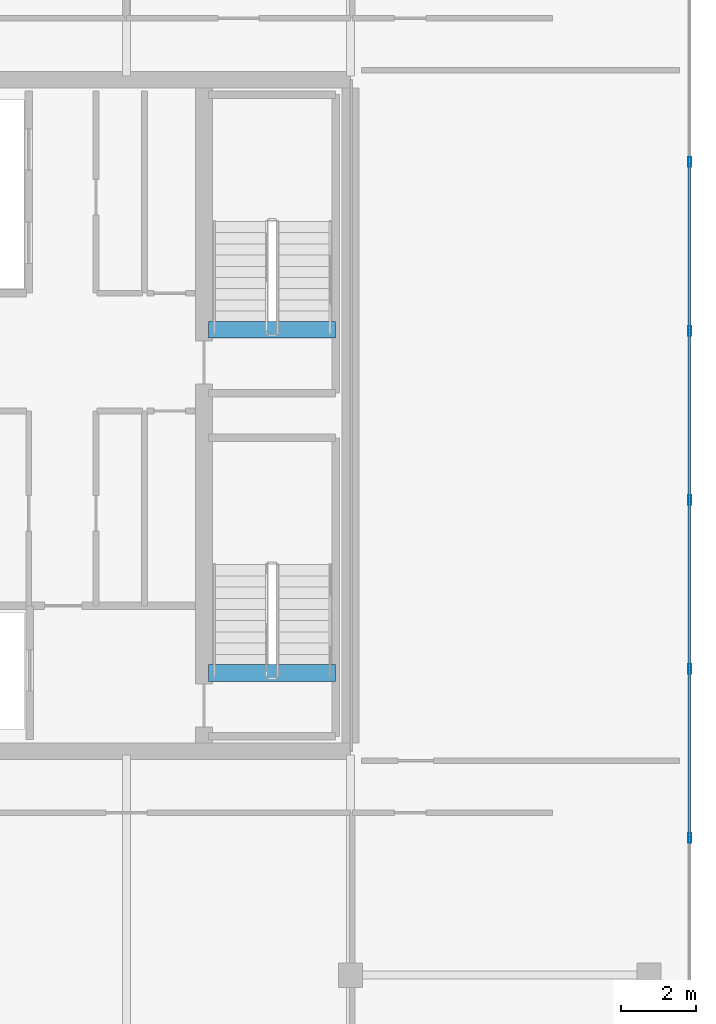
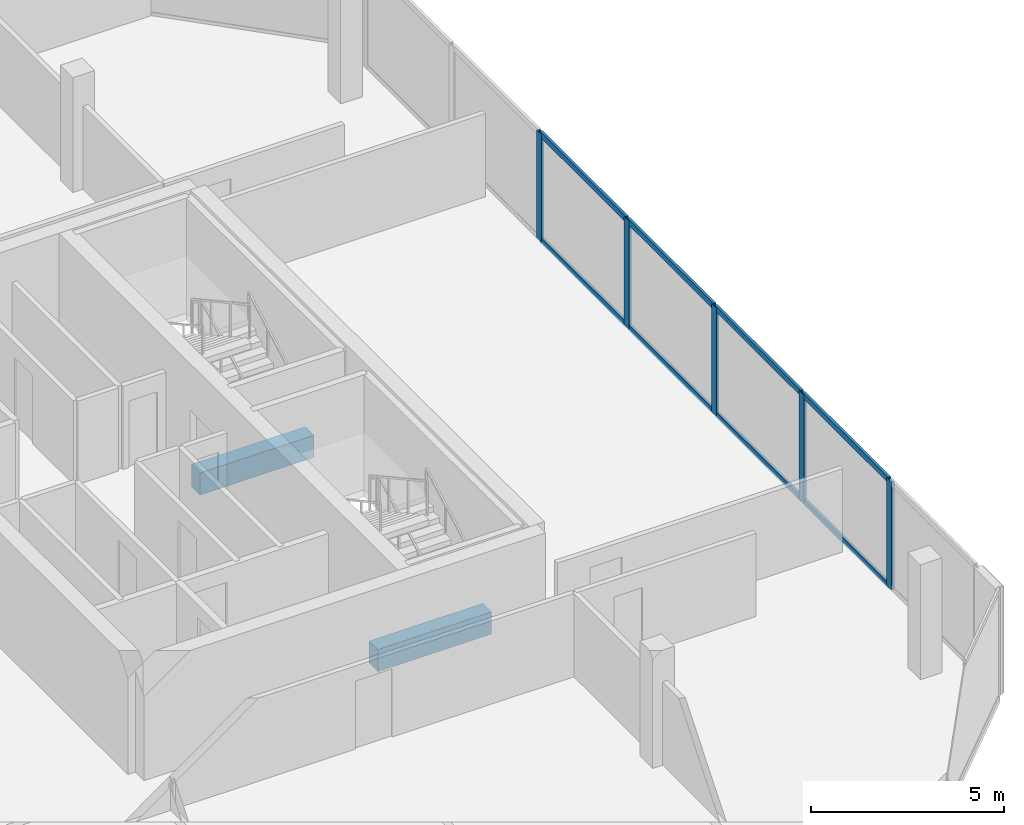
# One storey, part 18 of 28: 13 members, 2 beams, 1 element without a shape of its own.
"""IFC4 building model written with IfcOpenShell, lengths in metres."""

from ifc_helpers import new_model, si_unit, direction, frame, origin, origin_2d, place, context, subcontext, project, spatial, rectangle, hollow_rectangle, extrude, material, layer, layer_set, material_profile, profile_set, type_object, element, aggregate, save


model = new_model("IFC4")

# Units and contexts
model_context = context("Model", 3, precision=1e-05, world=origin(), true_north=direction((0.0, 1.0)))
body_context = subcontext(model_context, "Body", "Model", "MODEL_VIEW")
ifc_project = project(units=[si_unit("LENGTHUNIT", "METRE"), si_unit("AREAUNIT", "SQUARE_METRE"), si_unit("VOLUMEUNIT", "CUBIC_METRE"), si_unit("PLANEANGLEUNIT", "RADIAN"), si_unit("MASSUNIT", "GRAM", prefix="KILO")], contexts=[model_context])

# Site, building, storey
site_placement = place(None, origin())
site = spatial("IfcSite", under=ifc_project, at=site_placement, CompositionType="ELEMENT")
building_placement = place(site_placement, origin())
building = spatial("IfcBuilding", under=site, at=building_placement, Name="Tanjung Sevakor Pilgrim Tower", CompositionType="ELEMENT")
storey_placement = place(building_placement, frame((0.0, 0.0, 257.070068359375)))
storey = spatial("IfcBuildingStorey", under=building, at=storey_placement, Name="L72", CompositionType="ELEMENT", Elevation=257.070068359375)

# Beams
ifc_material_1 = material(Name="Concrete C60/75", Category="concrete")
ifc_material_profile_1 = material_profile(ifc_material_1, rectangle(XDim=0.449951171875, YDim=0.699951171875, at=origin_2d()))
ifc_profile_set_1 = profile_set([ifc_material_profile_1], Name="Concrete C60/75")
beam_type = type_object("IfcBeamType", Name="BM-B-LN3-RC-BM_450x700", PredefinedType="LINTEL", material=ifc_profile_set_1)
for number, where, z_axis, x_axis, name in (
    (1, (86.199951171875, 26.699951171875, -0.35009765625), (1.0, 0.0, 0.0), (0.0, 1.0, 0.0), "L72 TS-E1 Stair Threshold Beam"),
    (2, (86.199951171875, 35.89990234375, -0.35009765625), (1.0, 0.0, 0.0), (0.0, 1.0, 0.0), "L72 TS-E2 Stair Threshold Beam"),
):
    element("IfcBeam", number, at=place(storey_placement, frame(where, z_axis=z_axis, x_axis=x_axis)), inside=storey, type_object=beam_type, Name=name, PredefinedType="LINTEL", context=body_context, shape_type="SweptSolid", body=[
        extrude(rectangle(XDim=0.449951171875, YDim=0.699951171875, at=origin_2d()), origin(), (0.0, 0.0, 1.0), 3.400146484375),
    ])

# Curtain wall, members
ifc_material_2 = material(Name="Aluminium 6063-T6 and Low-E Glass", Category="aluminium")
ifc_layer = layer(ifc_material_2, 0.219970703125)
ifc_layer_set = layer_set([ifc_layer], Name="CW-SYS-CRNE")
curtain_wall_type = type_object("IfcCurtainWallType", Name="CW-SYS-CRNE", PredefinedType="NOTDEFINED", material=ifc_layer_set)
curtain_wall_placement = place(storey_placement, origin())
curtain_wall = element("IfcCurtainWall", 3, at=curtain_wall_placement, inside=storey, type_object=curtain_wall_type, Name="L72 Curtain Wall CW-CRN-L72-EAST-2-1", PredefinedType="NOTDEFINED")
ifc_material_3 = material(Name="Aluminium 6063-T6", Category="aluminium")
ifc_material_profile_2 = material_profile(ifc_material_3, hollow_rectangle(XDim=0.080078125, YDim=0.260009765625, WallThickness=0.0048828125, at=origin_2d()))
ifc_profile_set_2 = profile_set([ifc_material_profile_2], Name="Aluminium 6063-T6")
member_type_1 = type_object("IfcMemberType", Name="TYPE-CWM-3", PredefinedType="MULLION", material=ifc_profile_set_2)
member_1_placement = place(storey_placement, frame((99.090087890625, 22.275390625, 0.0), z_axis=(0.0, 0.0, 1.0), x_axis=(-1.0, 0.0, 0.0)))
member_1 = element("IfcMember", 4, at=member_1_placement, type_object=member_type_1, Name="CW-CRE mullion 2", PredefinedType="MULLION", context=body_context, shape_type="SweptSolid", body=[
    extrude(hollow_rectangle(XDim=0.080078125, YDim=0.260009765625, WallThickness=0.0048828125, at=origin_2d()), origin(), (0.0, 0.0, 1.0), 3.409912109375),
])
member_2_placement = place(storey_placement, frame((99.090087890625, 26.80517578125, 0.0), z_axis=(0.0, 0.0, 1.0), x_axis=(-1.0, 0.0, 0.0)))
member_2 = element("IfcMember", 5, at=member_2_placement, type_object=member_type_1, Name="CW-CRE mullion 3", PredefinedType="MULLION", context=body_context, shape_type="SweptSolid", body=[
    extrude(hollow_rectangle(XDim=0.080078125, YDim=0.260009765625, WallThickness=0.0048828125, at=origin_2d()), origin(), (0.0, 0.0, 1.0), 3.409912109375),
])
member_3_placement = place(storey_placement, frame((99.090087890625, 31.335205078125, 0.0), z_axis=(0.0, 0.0, 1.0), x_axis=(-1.0, 0.0, 0.0)))
member_3 = element("IfcMember", 6, at=member_3_placement, type_object=member_type_1, Name="CW-CRE mullion 4", PredefinedType="MULLION", context=body_context, shape_type="SweptSolid", body=[
    extrude(hollow_rectangle(XDim=0.080078125, YDim=0.260009765625, WallThickness=0.0048828125, at=origin_2d()), origin(), (0.0, 0.0, 1.0), 3.409912109375),
])
member_4_placement = place(storey_placement, frame((99.090087890625, 35.864990234375, 0.0), z_axis=(0.0, 0.0, 1.0), x_axis=(-1.0, 0.0, 0.0)))
member_4 = element("IfcMember", 7, at=member_4_placement, type_object=member_type_1, Name="CW-CRE mullion 5", PredefinedType="MULLION", context=body_context, shape_type="SweptSolid", body=[
    extrude(hollow_rectangle(XDim=0.080078125, YDim=0.260009765625, WallThickness=0.0048828125, at=origin_2d()), origin(), (0.0, 0.0, 1.0), 3.409912109375),
])
member_5_placement = place(storey_placement, frame((99.090087890625, 40.394775390625, 0.0), z_axis=(0.0, 0.0, 1.0), x_axis=(-1.0, 0.0, 0.0)))
member_5 = element("IfcMember", 8, at=member_5_placement, type_object=member_type_1, Name="CW-CRE mullion 6", PredefinedType="MULLION", context=body_context, shape_type="SweptSolid", body=[
    extrude(hollow_rectangle(XDim=0.080078125, YDim=0.260009765625, WallThickness=0.0048828125, at=origin_2d()), origin(), (0.0, 0.0, 1.0), 3.409912109375),
])
ifc_material_4 = material(Name="Aluminium 6063-T6", Category="aluminium")
ifc_material_profile_3 = material_profile(ifc_material_4, hollow_rectangle(XDim=0.080078125, YDim=0.179931640625, WallThickness=0.0048828125, at=origin_2d()))
ifc_profile_set_3 = profile_set([ifc_material_profile_3], Name="Aluminium 6063-T6")
member_type_2 = type_object("IfcMemberType", Name="TYPE-CWT-3", PredefinedType="USERDEFINED", material=ifc_profile_set_3)
member_6_placement = place(storey_placement, frame((99.090087890625, 22.3154296875, 0.0400390625), z_axis=(0.0, 1.0, 0.0), x_axis=(-1.0, 0.0, 0.0)))
member_6 = element("IfcMember", 9, at=member_6_placement, type_object=member_type_2, Name="CW-CRE transom 2.1", ObjectType="TRANSOM", PredefinedType="USERDEFINED", context=body_context, shape_type="SweptSolid", body=[
    extrude(hollow_rectangle(XDim=0.080078125, YDim=0.179931640625, WallThickness=0.0048828125, at=origin_2d()), origin(), (0.0, 0.0, 1.0), 4.44970703125),
])
member_7_placement = place(storey_placement, frame((99.090087890625, 22.3154296875, 3.369873046875), z_axis=(0.0, 1.0, 0.0), x_axis=(-1.0, 0.0, 0.0)))
member_7 = element("IfcMember", 10, at=member_7_placement, type_object=member_type_2, Name="CW-CRE transom 2.2", ObjectType="TRANSOM", PredefinedType="USERDEFINED", context=body_context, shape_type="SweptSolid", body=[
    extrude(hollow_rectangle(XDim=0.080078125, YDim=0.179931640625, WallThickness=0.0048828125, at=origin_2d()), origin(), (0.0, 0.0, 1.0), 4.44970703125),
])
member_8_placement = place(storey_placement, frame((99.090087890625, 26.84521484375, 0.0400390625), z_axis=(0.0, 1.0, 0.0), x_axis=(-1.0, 0.0, 0.0)))
member_8 = element("IfcMember", 11, at=member_8_placement, type_object=member_type_2, Name="CW-CRE transom 3.1", ObjectType="TRANSOM", PredefinedType="USERDEFINED", context=body_context, shape_type="SweptSolid", body=[
    extrude(hollow_rectangle(XDim=0.080078125, YDim=0.179931640625, WallThickness=0.0048828125, at=origin_2d()), origin(), (0.0, 0.0, 1.0), 4.449951171875),
])
member_9_placement = place(storey_placement, frame((99.090087890625, 26.84521484375, 3.369873046875), z_axis=(0.0, 1.0, 0.0), x_axis=(-1.0, 0.0, 0.0)))
member_9 = element("IfcMember", 12, at=member_9_placement, type_object=member_type_2, Name="CW-CRE transom 3.2", ObjectType="TRANSOM", PredefinedType="USERDEFINED", context=body_context, shape_type="SweptSolid", body=[
    extrude(hollow_rectangle(XDim=0.080078125, YDim=0.179931640625, WallThickness=0.0048828125, at=origin_2d()), origin(), (0.0, 0.0, 1.0), 4.449951171875),
])
member_10_placement = place(storey_placement, frame((99.090087890625, 31.375, 0.0400390625), z_axis=(0.0, 1.0, 0.0), x_axis=(-1.0, 0.0, 0.0)))
member_10 = element("IfcMember", 13, at=member_10_placement, type_object=member_type_2, Name="CW-CRE transom 4.1", ObjectType="TRANSOM", PredefinedType="USERDEFINED", context=body_context, shape_type="SweptSolid", body=[
    extrude(hollow_rectangle(XDim=0.080078125, YDim=0.179931640625, WallThickness=0.0048828125, at=origin_2d()), origin(), (0.0, 0.0, 1.0), 4.449951171875),
])
member_11_placement = place(storey_placement, frame((99.090087890625, 31.375, 3.369873046875), z_axis=(0.0, 1.0, 0.0), x_axis=(-1.0, 0.0, 0.0)))
member_11 = element("IfcMember", 14, at=member_11_placement, type_object=member_type_2, Name="CW-CRE transom 4.2", ObjectType="TRANSOM", PredefinedType="USERDEFINED", context=body_context, shape_type="SweptSolid", body=[
    extrude(hollow_rectangle(XDim=0.080078125, YDim=0.179931640625, WallThickness=0.0048828125, at=origin_2d()), origin(), (0.0, 0.0, 1.0), 4.449951171875),
])
member_12_placement = place(storey_placement, frame((99.090087890625, 35.905029296875, 0.0400390625), z_axis=(0.0, 1.0, 0.0), x_axis=(-1.0, 0.0, 0.0)))
member_12 = element("IfcMember", 15, at=member_12_placement, type_object=member_type_2, Name="CW-CRE transom 5.1", ObjectType="TRANSOM", PredefinedType="USERDEFINED", context=body_context, shape_type="SweptSolid", body=[
    extrude(hollow_rectangle(XDim=0.080078125, YDim=0.179931640625, WallThickness=0.0048828125, at=origin_2d()), origin(), (0.0, 0.0, 1.0), 4.44970703125),
])
member_13_placement = place(storey_placement, frame((99.090087890625, 35.905029296875, 3.369873046875), z_axis=(0.0, 1.0, 0.0), x_axis=(-1.0, 0.0, 0.0)))
member_13 = element("IfcMember", 16, at=member_13_placement, type_object=member_type_2, Name="CW-CRE transom 5.2", ObjectType="TRANSOM", PredefinedType="USERDEFINED", context=body_context, shape_type="SweptSolid", body=[
    extrude(hollow_rectangle(XDim=0.080078125, YDim=0.179931640625, WallThickness=0.0048828125, at=origin_2d()), origin(), (0.0, 0.0, 1.0), 4.44970703125),
])
aggregate(curtain_wall, [member_1, member_2, member_3, member_4, member_5, member_6, member_7, member_8, member_9, member_10, member_11, member_12, member_13])

save(model, "model.ifc")
